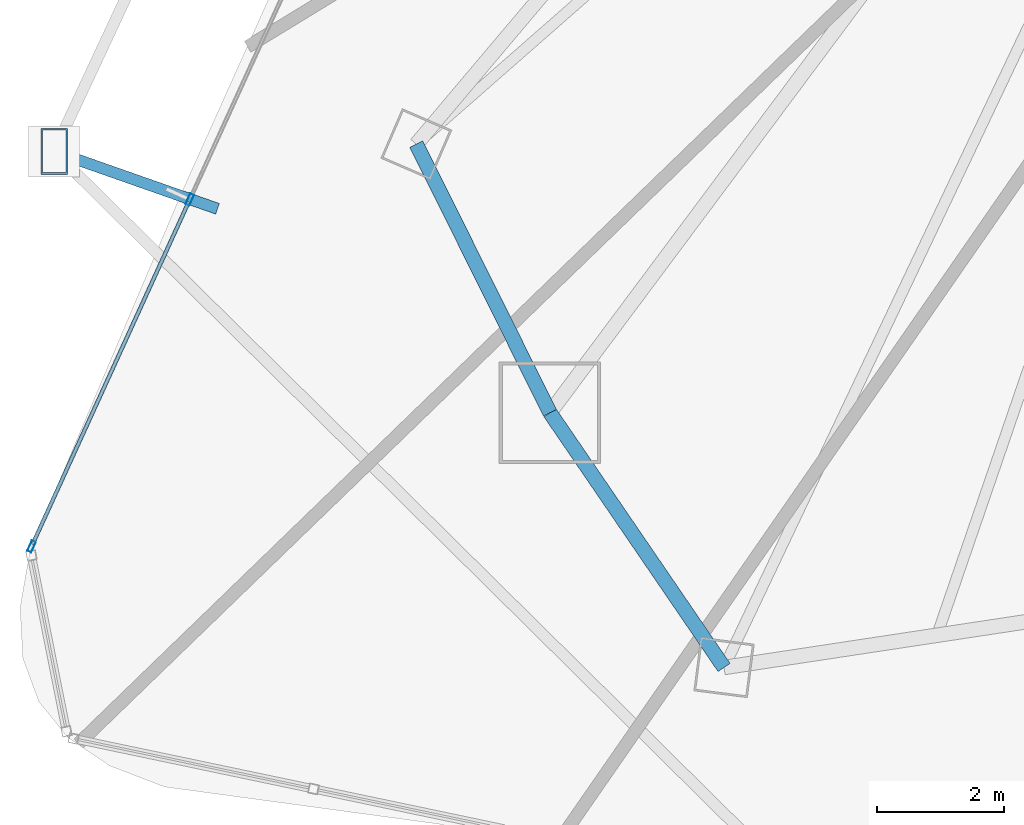
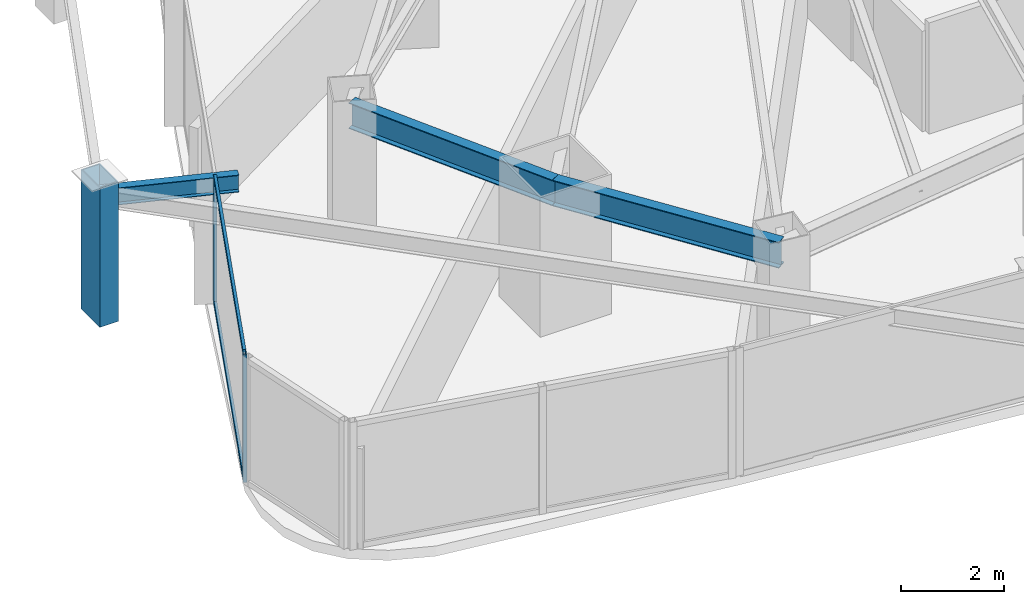
# One storey, part 5 of 33: 5 members, 3 beams, 1 element without a shape of its own.
"""IFC4 building model written with IfcOpenShell, lengths in metres."""

from ifc_helpers import new_model, si_unit, direction, frame, origin, origin_2d, place, context, subcontext, project, spatial, hollow_rectangle, i_section, extrude, material, layer, layer_set, material_profile, profile_set, type_object, element, aggregate, save


model = new_model("IFC4")

# Units and contexts
model_context = context("Model", 3, precision=1e-05, world=origin(), true_north=direction((0.0, 1.0)))
body_context = subcontext(model_context, "Body", "Model", "MODEL_VIEW")
ifc_project = project(units=[si_unit("LENGTHUNIT", "METRE"), si_unit("AREAUNIT", "SQUARE_METRE"), si_unit("VOLUMEUNIT", "CUBIC_METRE"), si_unit("PLANEANGLEUNIT", "RADIAN"), si_unit("MASSUNIT", "GRAM", prefix="KILO")], contexts=[model_context])

# Site, building, storey
site_placement = place(None, origin())
site = spatial("IfcSite", under=ifc_project, at=site_placement, CompositionType="ELEMENT")
building_placement = place(site_placement, origin())
building = spatial("IfcBuilding", under=site, at=building_placement, Name="Orvanel Arch Residences", CompositionType="ELEMENT")
storey_placement = place(building_placement, frame((0.0, 0.0, 93.949951171875)))
storey = spatial("IfcBuildingStorey", under=building, at=storey_placement, Name="L26", CompositionType="ELEMENT", Elevation=93.949951171875)

# Member
ifc_material_1 = material(Name="Structural steel AS/NZS 3678 Grade 350", Category="steel")
ifc_material_profile_1 = material_profile(ifc_material_1, hollow_rectangle(XDim=0.419921875, YDim=0.719970703125, WallThickness=0.02490234375, at=origin_2d()), Name="RHS720x420x25")
ifc_profile_set_1 = profile_set([ifc_material_profile_1], Name="Structural steel AS/NZS 3678 Grade 350")
member_type_1 = type_object("IfcMemberType", Name="CH-720RHS-EXT", PredefinedType="CHORD", material=ifc_profile_set_1)
member_1_placement = place(storey_placement, frame((6.39111328125, 14.465087890625, 0.0), z_axis=(0.0, 0.0, 1.0), x_axis=(1.0, 0.0, 0.0)))
element("IfcMember", 1, at=member_1_placement, inside=storey, type_object=member_type_1, Name="L26 Outer Perimeter Frame Post 04", PredefinedType="CHORD", context=body_context, shape_type="SweptSolid", body=[
    extrude(hollow_rectangle(XDim=0.419921875, YDim=0.719970703125, WallThickness=0.02490234375, at=origin_2d()), origin(), (0.0, 0.0, 1.0), 3.300048828125),
])

# Curtain wall, members
ifc_material_2 = material(Name="Bronze-anodised aluminium AA6063-T6", Category="aluminium")
ifc_layer = layer(ifc_material_2, 0.179931640625)
ifc_layer_set = layer_set([ifc_layer], Name="Bronze-anodised aluminium AA6063-T6")
curtain_wall_type = type_object("IfcCurtainWallType", Name="CW2-LOW-SYS", PredefinedType="NOTDEFINED", material=ifc_layer_set)
curtain_wall_placement = place(storey_placement, origin())
curtain_wall = element("IfcCurtainWall", 2, at=curtain_wall_placement, inside=storey, type_object=curtain_wall_type, Name="L26 CW2-LOW-SYS Unitised Curtain Wall", PredefinedType="NOTDEFINED")
ifc_material_profile_2 = material_profile(ifc_material_2, hollow_rectangle(XDim=0.070068359375, YDim=0.179931640625, WallThickness=0.00439453125, at=origin_2d()), Name="ALU180x70x4.5")
ifc_profile_set_2 = profile_set([ifc_material_profile_2], Name="Bronze-anodised aluminium AA6063-T6")
member_type_2 = type_object("IfcMemberType", Name="MUL-180x70", PredefinedType="MULLION", material=ifc_profile_set_2)
member_2_placement = place(storey_placement, frame((8.527587890625, 13.707275390625, 0.0), z_axis=(0.0, 0.0, 1.0), x_axis=(0.909823071027, -0.414996360739, 0.0)))
member_2 = element("IfcMember", 3, at=member_2_placement, type_object=member_type_2, Name="CW-S2 mullion 3", PredefinedType="MULLION", context=body_context, shape_type="SweptSolid", body=[
    extrude(hollow_rectangle(XDim=0.070068359375, YDim=0.179931640625, WallThickness=0.00439453125, at=origin_2d()), origin(), (0.0, 0.0, 1.0), 3.02001953125),
])
member_3_placement = place(storey_placement, frame((6.03662109375, 8.245849609375, 0.0), z_axis=(0.0, 0.0, 1.0), x_axis=(0.909823071027, -0.414996360739, 0.0)))
member_3 = element("IfcMember", 4, at=member_3_placement, type_object=member_type_2, Name="CW-S2 mullion 4", PredefinedType="MULLION", context=body_context, shape_type="SweptSolid", body=[
    extrude(hollow_rectangle(XDim=0.070068359375, YDim=0.179931640625, WallThickness=0.00439453125, at=origin_2d()), origin(), (0.0, 0.0, 1.0), 3.02001953125),
])

# Beams
ifc_material_3 = material(Name="Structural steel AS/NZS 3679.1 Grade 300 (300 MPa)", Category="steel")
ifc_material_profile_3 = material_profile(ifc_material_3, i_section(OverallWidth=0.177978515625, OverallDepth=0.406005859375, WebThickness=0.0078125, FlangeThickness=0.0126953125, at=origin_2d()), Name="410UB59.7")
ifc_profile_set_3 = profile_set([ifc_material_profile_3], Name="Structural steel AS/NZS 3679.1 Grade 300 (300 MPa)")
beam_type_1 = type_object("IfcBeamType", Name="OB-410UB-EXT", PredefinedType="SPANDREL", material=ifc_profile_set_3)
beam_1_placement = place(storey_placement, frame((8.964111328125, 13.56201171875, 2.817138671875), z_axis=(-0.943569062897, 0.331175819685, 0.0), x_axis=(-0.331175819685, -0.943569062897, 0.0)))
element("IfcBeam", 5, at=beam_1_placement, inside=storey, type_object=beam_type_1, Name="L26 Outer Frame Radial Tie Beam 04", PredefinedType="SPANDREL", context=body_context, shape_type="SweptSolid", body=[
    extrude(i_section(OverallWidth=0.177978515625, OverallDepth=0.406005859375, WebThickness=0.0078125, FlangeThickness=0.0126953125, at=origin_2d()), origin(), (0.0, 0.0, 1.0), 2.726806640625),
])
ifc_material_profile_4 = material_profile(ifc_material_3, i_section(OverallWidth=0.22900390625, OverallDepth=0.612060546875, WebThickness=0.011962890625, FlangeThickness=0.01953125, at=origin_2d()), Name="610UB125")
ifc_profile_set_4 = profile_set([ifc_material_profile_4], Name="Structural steel AS/NZS 3679.1 Grade 300 (300 MPa)")
beam_type_2 = type_object("IfcBeamType", Name="SP-610UB", PredefinedType="SPANDREL", material=ifc_profile_set_4)
beam_2_placement = place(storey_placement, frame((12.094970703125, 14.580078125, 2.714111328125), z_axis=(0.44543469453, -0.895314432425, 0.0), x_axis=(0.895314432425, 0.44543469453, 0.0)))
element("IfcBeam", 6, at=beam_2_placement, inside=storey, type_object=beam_type_2, Name="L26 Perimeter Spandrel Beam 02", PredefinedType="SPANDREL", context=body_context, shape_type="SweptSolid", body=[
    extrude(i_section(OverallWidth=0.22900390625, OverallDepth=0.612060546875, WebThickness=0.011962890625, FlangeThickness=0.01953125, at=origin_2d()), origin(), (0.0, 0.0, 1.0), 4.723388671875),
])
beam_3_placement = place(storey_placement, frame((14.198974609375, 10.35107421875, 2.714111328125), z_axis=(0.564251579852, -0.825602903722, 0.0), x_axis=(0.825602903722, 0.564251579852, 0.0)))
element("IfcBeam", 7, at=beam_3_placement, inside=storey, type_object=beam_type_2, Name="L26 Perimeter Spandrel Beam 03", PredefinedType="SPANDREL", context=body_context, shape_type="SweptSolid", body=[
    extrude(i_section(OverallWidth=0.22900390625, OverallDepth=0.612060546875, WebThickness=0.011962890625, FlangeThickness=0.01953125, at=origin_2d()), origin(), (0.0, 0.0, 1.0), 4.859375),
])

# Member
ifc_material_profile_5 = material_profile(ifc_material_2, hollow_rectangle(XDim=0.06005859375, YDim=0.135009765625, WallThickness=0.00390625, at=origin_2d()), Name="ALU135x60x4")
ifc_profile_set_5 = profile_set([ifc_material_profile_5], Name="Bronze-anodised aluminium AA6063-T6")
member_type_3 = type_object("IfcMemberType", Name="TRN-135x60", PredefinedType="USERDEFINED", material=ifc_profile_set_5)
member_4_placement = place(storey_placement, frame((8.51318359375, 13.675537109375, 0.030029296875), z_axis=(-0.414996216051, -0.909823137024, 0.0), x_axis=(0.909823137024, -0.414996216051, 0.0)))
member_4 = element("IfcMember", 8, at=member_4_placement, type_object=member_type_3, Name="CW-S2 transom 3.1", ObjectType="TRANSOM", PredefinedType="USERDEFINED", context=body_context, shape_type="SweptSolid", body=[
    extrude(hollow_rectangle(XDim=0.06005859375, YDim=0.135009765625, WallThickness=0.00390625, at=origin_2d()), origin(), (0.0, 0.0, 1.0), 5.932861328125),
])

member_5_placement = place(storey_placement, frame((8.51318359375, 13.675537109375, 2.989990234375), z_axis=(-0.414996216051, -0.909823137024, 0.0), x_axis=(0.909823137024, -0.414996216051, 0.0)))
member_5 = element("IfcMember", 9, at=member_5_placement, type_object=member_type_3, Name="CW-S2 transom 3.2", ObjectType="TRANSOM", PredefinedType="USERDEFINED", context=body_context, shape_type="SweptSolid", body=[
    extrude(hollow_rectangle(XDim=0.06005859375, YDim=0.135009765625, WallThickness=0.00390625, at=origin_2d()), origin(), (0.0, 0.0, 1.0), 5.932861328125),
])

aggregate(curtain_wall, [member_2, member_3, member_4, member_5])

save(model, "model.ifc")
